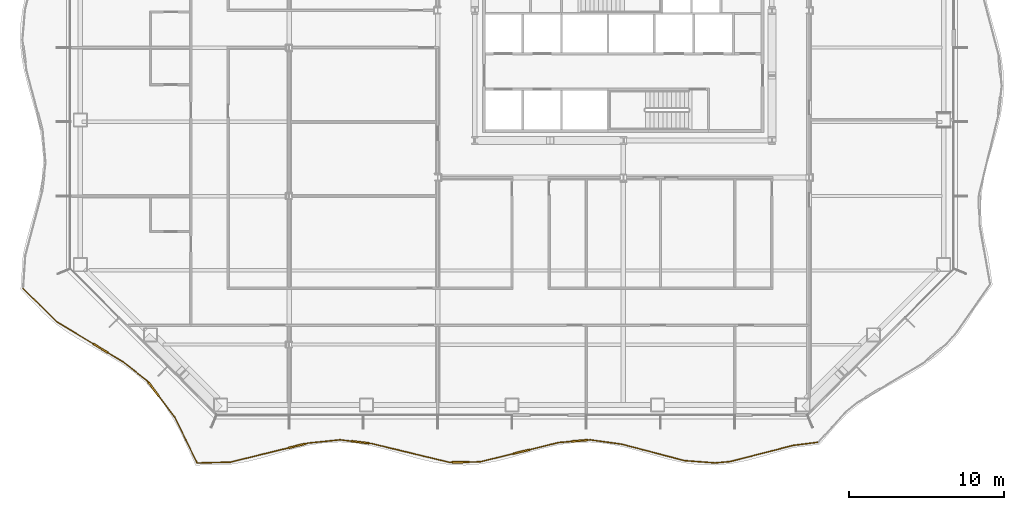
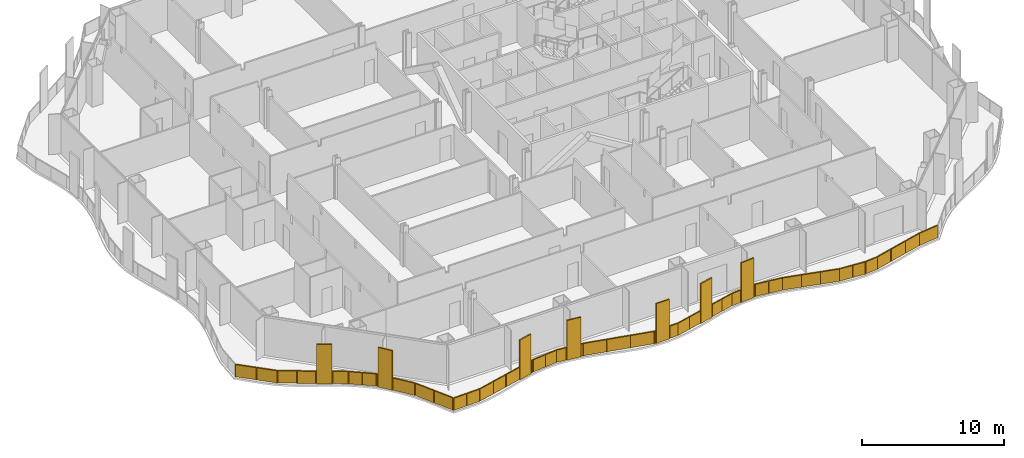
# One storey, part 12 of 17: 2 railings.
"""IFC4 building model written with IfcOpenShell, lengths in metres."""

from ifc_helpers import new_model, si_unit, direction, frame, origin, origin_2d, place, context, subcontext, project, spatial, polyline, rectangle, outline, extrude, material, type_object, element, save


model = new_model("IFC4")

# Units and contexts
model_context = context("Model", 3, precision=1e-05, world=origin(), true_north=direction((0.0, 1.0)))
body_context = subcontext(model_context, "Body", "Model", "MODEL_VIEW")
ifc_project = project(units=[si_unit("LENGTHUNIT", "METRE"), si_unit("AREAUNIT", "SQUARE_METRE"), si_unit("VOLUMEUNIT", "CUBIC_METRE"), si_unit("PLANEANGLEUNIT", "RADIAN"), si_unit("MASSUNIT", "GRAM", prefix="KILO")], contexts=[model_context])

# Site, building, storey
site_placement = place(None, origin())
site = spatial("IfcSite", under=ifc_project, at=site_placement, CompositionType="ELEMENT")
building_placement = place(site_placement, origin())
building = spatial("IfcBuilding", under=site, at=building_placement, Name="Cairn Pilgrim Tower", CompositionType="ELEMENT")
storey_placement = place(building_placement, frame((0.0, 0.0, 79.800048828125)))
storey = spatial("IfcBuildingStorey", under=building, at=storey_placement, Name="L18", CompositionType="ELEMENT", Elevation=79.800048828125)

# Railings
ifc_material = material(Name="Bronze anodised aluminium rail, posts and fin screens with laminated glass infill", Category="aluminium")
railing_type = type_object("IfcRailingType", Name="BALCONY GUARD WITH FIN SCREENS", PredefinedType="GUARDRAIL", material=ifc_material)
railing_1_placement = place(storey_placement, frame((-20.35009765625, -26.84765625, 0.0)))
element("IfcRailing", 1, at=railing_1_placement, inside=storey, type_object=railing_type, Name="Balcony guard BGF-1 with fin screens", PredefinedType="GUARDRAIL", context=body_context, shape_type="SweptSolid", body=[
    extrude(rectangle(XDim=0.050048828125, YDim=0.050048828125, at=origin_2d()), frame((0.0, 0.0, 1.0751953125), z_axis=(0.999665032724, 0.025880926372, 0.0), x_axis=(-0.025880926372, 0.999665032724, 0.0)), (0.0, 0.0, 1.0), 2.141357421875),
    extrude(rectangle(XDim=1.10009765625, YDim=0.110107421875, at=origin_2d()), frame((6.43701171875, 1.10546875, 0.0), z_axis=(0.0, 0.0, 1.0), x_axis=(0.971403341759, 0.237435354613, 0.0)), (0.0, 0.0, 1.0), 3.39990234375),
    extrude(rectangle(XDim=0.050048828125, YDim=0.050048828125, at=origin_2d()), frame((2.140625, 0.055419921875, 1.0751953125), z_axis=(0.971403341759, 0.237435354613, 0.0), x_axis=(-0.237435354613, 0.971403341759, 0.0)), (0.0, 0.0, 1.0), 3.872802734375),
    extrude(rectangle(XDim=0.050048828125, YDim=0.050048828125, at=origin_2d()), frame((6.97119140625, 1.236083984375, 1.0751953125), z_axis=(0.971403341759, 0.237435354613, 0.0), x_axis=(-0.237435354613, 0.971403341759, 0.0)), (0.0, 0.0, 1.0), 0.222900390625),
    extrude(rectangle(XDim=0.050048828125, YDim=0.050048828125, at=origin_2d()), frame((7.187744140625, 1.2890625, 1.0751953125), z_axis=(0.994833164728, 0.101523270029, 0.0), x_axis=(-0.101523270029, 0.994833164728, 0.0)), (0.0, 0.0, 1.0), 2.05859375),
    extrude(rectangle(XDim=1.10009765625, YDim=0.110107421875, at=origin_2d()), frame((10.540283203125, 1.342041015625, 0.0), z_axis=(0.0, 0.0, 1.0), x_axis=(0.992930548641, -0.118696779974, 0.0)), (0.0, 0.0, 1.0), 3.39990234375),
    extrude(rectangle(XDim=0.050048828125, YDim=0.050048828125, at=origin_2d()), frame((9.235595703125, 1.498046875, 1.0751953125), z_axis=(0.992930548641, -0.118696779974, 0.0), x_axis=(0.118696779974, 0.992930548641, 0.0)), (0.0, 0.0, 1.0), 0.763916015625),
    extrude(rectangle(XDim=0.050048828125, YDim=0.050048828125, at=origin_2d()), frame((11.086181640625, 1.27685546875, 1.0751953125), z_axis=(0.992930548641, -0.118696779974, 0.0), x_axis=(0.118696779974, 0.992930548641, 0.0)), (0.0, 0.0, 1.0), 0.197021484375),
    extrude(rectangle(XDim=0.050048828125, YDim=0.050048828125, at=origin_2d()), frame((11.281982421875, 1.25341796875, 1.0751953125), z_axis=(0.972183556205, -0.234220266083, 0.0), x_axis=(0.234220266083, 0.972183556205, 0.0)), (0.0, 0.0, 1.0), 5.186767578125),
    extrude(rectangle(XDim=1.10009765625, YDim=0.110107421875, at=origin_2d()), frame((17.024169921875, 0.0517578125, 0.0), z_axis=(0.0, 0.0, 1.0), x_axis=(0.999820644994, 0.018938792045, 0.0)), (0.0, 0.0, 1.0), 3.39990234375),
    extrude(rectangle(XDim=0.050048828125, YDim=0.050048828125, at=origin_2d()), frame((16.324462890625, 0.03857421875, 1.0751953125), z_axis=(0.999820644994, 0.018938792045, 0.0), x_axis=(-0.018938792045, 0.999820644994, 0.0)), (0.0, 0.0, 1.0), 0.14990234375),
    extrude(rectangle(XDim=0.050048828125, YDim=0.050048828125, at=origin_2d()), frame((17.573974609375, 0.062255859375, 1.0751953125), z_axis=(0.999820644994, 0.018938792045, 0.0), x_axis=(-0.018938792045, 0.999820644994, 0.0)), (0.0, 0.0, 1.0), 0.7353515625),
    extrude(rectangle(XDim=1.10009765625, YDim=0.110107421875, at=origin_2d()), frame((20.935791015625, 0.724609375, 0.0), z_axis=(0.0, 0.0, 1.0), x_axis=(0.970845467118, 0.239706234747, 0.0)), (0.0, 0.0, 1.0), 3.39990234375),
    extrude(rectangle(XDim=0.050048828125, YDim=0.050048828125, at=origin_2d()), frame((18.309326171875, 0.076171875, 1.0751953125), z_axis=(0.970845467118, 0.239706234747, 0.0), x_axis=(-0.239706234747, 0.970845467118, 0.0)), (0.0, 0.0, 1.0), 2.1552734375),
    extrude(rectangle(XDim=0.050048828125, YDim=0.050048828125, at=origin_2d()), frame((21.4697265625, 0.8564453125, 1.0751953125), z_axis=(0.970845467118, 0.239706234747, 0.0), x_axis=(-0.239706234747, 0.970845467118, 0.0)), (0.0, 0.0, 1.0), 1.944091796875),
    extrude(rectangle(XDim=1.10009765625, YDim=0.110107421875, at=origin_2d()), frame((24.708984375, 1.436279296875, 0.0), z_axis=(0.0, 0.0, 1.0), x_axis=(0.996482437645, 0.083801858365, 0.0)), (0.0, 0.0, 1.0), 3.39990234375),
    extrude(rectangle(XDim=0.050048828125, YDim=0.050048828125, at=origin_2d()), frame((23.357177734375, 1.322509765625, 1.0751953125), z_axis=(0.996482437645, 0.083801858365, 0.0), x_axis=(-0.083801858365, 0.996482437645, 0.0)), (0.0, 0.0, 1.0), 0.806640625),
    extrude(rectangle(XDim=0.050048828125, YDim=0.050048828125, at=origin_2d()), frame((25.257080078125, 1.482177734375, 1.0751953125), z_axis=(0.996482437645, 0.083801858365, 0.0), x_axis=(-0.083801858365, 0.996482437645, 0.0)), (0.0, 0.0, 1.0), 0.150146484375),
    extrude(rectangle(XDim=0.050048828125, YDim=0.050048828125, at=origin_2d()), frame((25.40673828125, 1.494873046875, 1.0751953125), z_axis=(0.990798491518, -0.135345296205, 0.0), x_axis=(0.135345296205, 0.990798491518, 0.0)), (0.0, 0.0, 1.0), 2.0654296875),
    extrude(rectangle(XDim=0.050048828125, YDim=0.050048828125, at=origin_2d()), frame((27.453125, 1.21533203125, 1.0751953125), z_axis=(0.967162352944, -0.254159365455, 0.0), x_axis=(0.254159365455, 0.967162352944, 0.0)), (0.0, 0.0, 1.0), 4.1748046875),
    extrude(rectangle(XDim=0.050048828125, YDim=0.050048828125, at=origin_2d()), frame((31.49072265625, 0.154296875, 1.0751953125), z_axis=(0.997197033679, -0.074820291511, 0.0), x_axis=(0.074820291511, 0.997197033679, 0.0)), (0.0, 0.0, 1.0), 2.000244140625),
    extrude(rectangle(XDim=0.050048828125, YDim=0.050048828125, at=origin_2d()), frame((33.4853515625, 0.004638671875, 1.0751953125), z_axis=(0.995513174876, 0.094623034444, 0.0), x_axis=(-0.094623034444, 0.995513174876, 0.0)), (0.0, 0.0, 1.0), 0.99072265625),
    extrude(rectangle(XDim=0.050048828125, YDim=0.050048828125, at=origin_2d()), frame((34.4716796875, 0.098388671875, 1.0751953125), z_axis=(0.968643638415, 0.248454224673, 0.0), x_axis=(-0.248454224673, 0.968643638415, 0.0)), (0.0, 0.0, 1.0), 4.17041015625),
    extrude(rectangle(XDim=0.050048828125, YDim=0.050048828125, at=origin_2d()), frame((38.51123046875, 1.134521484375, 1.0751953125), z_axis=(0.991837154862, 0.127511012211, 0.0), x_axis=(-0.127511012211, 0.991837154862, 0.0)), (0.0, 0.0, 1.0), 1.5986328125),
    extrude(rectangle(XDim=0.050048828125, YDim=0.050048828125, at=origin_2d()), origin(), (0.0, 0.0, 1.0), 1.050048828125),
    extrude(rectangle(XDim=0.050048828125, YDim=0.050048828125, at=origin_2d()), frame((1.0703125, 0.02783203125, 0.0)), (0.0, 0.0, 1.0), 1.050048828125),
    extrude(rectangle(XDim=0.050048828125, YDim=0.050048828125, at=origin_2d()), frame((2.140625, 0.055419921875, 0.0)), (0.0, 0.0, 1.0), 1.050048828125),
    extrude(rectangle(XDim=0.050048828125, YDim=0.050048828125, at=origin_2d()), frame((3.386474609375, 0.35986328125, 0.0)), (0.0, 0.0, 1.0), 1.050048828125),
    extrude(rectangle(XDim=0.050048828125, YDim=0.050048828125, at=origin_2d()), frame((4.63232421875, 0.66455078125, 0.0)), (0.0, 0.0, 1.0), 1.050048828125),
    extrude(rectangle(XDim=0.050048828125, YDim=0.050048828125, at=origin_2d()), frame((5.87841796875, 0.968994140625, 0.0)), (0.0, 0.0, 1.0), 1.050048828125),
    extrude(rectangle(XDim=0.050048828125, YDim=0.050048828125, at=origin_2d()), frame((6.99560546875, 1.2421875, 0.0)), (0.0, 0.0, 1.0), 1.050048828125),
    extrude(rectangle(XDim=0.050048828125, YDim=0.050048828125, at=origin_2d()), frame((7.187744140625, 1.2890625, 0.0)), (0.0, 0.0, 1.0), 1.050048828125),
    extrude(rectangle(XDim=0.050048828125, YDim=0.050048828125, at=origin_2d()), frame((8.211669921875, 1.3935546875, 0.0)), (0.0, 0.0, 1.0), 1.050048828125),
    extrude(rectangle(XDim=0.050048828125, YDim=0.050048828125, at=origin_2d()), frame((9.235595703125, 1.498046875, 0.0)), (0.0, 0.0, 1.0), 1.050048828125),
    extrude(rectangle(XDim=0.050048828125, YDim=0.050048828125, at=origin_2d()), frame((9.96923828125, 1.410400390625, 0.0)), (0.0, 0.0, 1.0), 1.050048828125),
    extrude(rectangle(XDim=0.050048828125, YDim=0.050048828125, at=origin_2d()), frame((11.111083984375, 1.27392578125, 0.0)), (0.0, 0.0, 1.0), 1.050048828125),
    extrude(rectangle(XDim=0.050048828125, YDim=0.050048828125, at=origin_2d()), frame((11.281982421875, 1.25341796875, 0.0)), (0.0, 0.0, 1.0), 1.050048828125),
    extrude(rectangle(XDim=0.050048828125, YDim=0.050048828125, at=origin_2d()), frame((12.962890625, 0.848388671875, 0.0)), (0.0, 0.0, 1.0), 1.050048828125),
    extrude(rectangle(XDim=0.050048828125, YDim=0.050048828125, at=origin_2d()), frame((14.6435546875, 0.443603515625, 0.0)), (0.0, 0.0, 1.0), 1.050048828125),
    extrude(rectangle(XDim=0.050048828125, YDim=0.050048828125, at=origin_2d()), frame((16.324462890625, 0.03857421875, 0.0)), (0.0, 0.0, 1.0), 1.050048828125),
    extrude(rectangle(XDim=0.050048828125, YDim=0.050048828125, at=origin_2d()), frame((16.44921875, 0.041015625, 0.0)), (0.0, 0.0, 1.0), 1.050048828125),
    extrude(rectangle(XDim=0.050048828125, YDim=0.050048828125, at=origin_2d()), frame((17.59912109375, 0.062744140625, 0.0)), (0.0, 0.0, 1.0), 1.050048828125),
    extrude(rectangle(XDim=0.050048828125, YDim=0.050048828125, at=origin_2d()), frame((18.309326171875, 0.076171875, 0.0)), (0.0, 0.0, 1.0), 1.050048828125),
    extrude(rectangle(XDim=0.050048828125, YDim=0.050048828125, at=origin_2d()), frame((19.343505859375, 0.33154296875, 0.0)), (0.0, 0.0, 1.0), 1.050048828125),
    extrude(rectangle(XDim=0.050048828125, YDim=0.050048828125, at=origin_2d()), frame((20.37744140625, 0.5869140625, 0.0)), (0.0, 0.0, 1.0), 1.050048828125),
    extrude(rectangle(XDim=0.050048828125, YDim=0.050048828125, at=origin_2d()), frame((21.494140625, 0.862548828125, 0.0)), (0.0, 0.0, 1.0), 1.050048828125),
    extrude(rectangle(XDim=0.050048828125, YDim=0.050048828125, at=origin_2d()), frame((22.425537109375, 1.092529296875, 0.0)), (0.0, 0.0, 1.0), 1.050048828125),
    extrude(rectangle(XDim=0.050048828125, YDim=0.050048828125, at=origin_2d()), frame((23.357177734375, 1.322509765625, 0.0)), (0.0, 0.0, 1.0), 1.050048828125),
    extrude(rectangle(XDim=0.050048828125, YDim=0.050048828125, at=origin_2d()), frame((24.135986328125, 1.387939453125, 0.0)), (0.0, 0.0, 1.0), 1.050048828125),
    extrude(rectangle(XDim=0.050048828125, YDim=0.050048828125, at=origin_2d()), frame((25.281982421875, 1.484375, 0.0)), (0.0, 0.0, 1.0), 1.050048828125),
    extrude(rectangle(XDim=0.050048828125, YDim=0.050048828125, at=origin_2d()), frame((25.40673828125, 1.494873046875, 0.0)), (0.0, 0.0, 1.0), 1.050048828125),
    extrude(rectangle(XDim=0.050048828125, YDim=0.050048828125, at=origin_2d()), frame((26.429931640625, 1.35498046875, 0.0)), (0.0, 0.0, 1.0), 1.050048828125),
    extrude(rectangle(XDim=0.050048828125, YDim=0.050048828125, at=origin_2d()), frame((27.453125, 1.21533203125, 0.0)), (0.0, 0.0, 1.0), 1.050048828125),
    extrude(rectangle(XDim=0.050048828125, YDim=0.050048828125, at=origin_2d()), frame((28.799072265625, 0.861572265625, 0.0)), (0.0, 0.0, 1.0), 1.050048828125),
    extrude(rectangle(XDim=0.050048828125, YDim=0.050048828125, at=origin_2d()), frame((30.144775390625, 0.508056640625, 0.0)), (0.0, 0.0, 1.0), 1.050048828125),
    extrude(rectangle(XDim=0.050048828125, YDim=0.050048828125, at=origin_2d()), frame((31.49072265625, 0.154296875, 0.0)), (0.0, 0.0, 1.0), 1.050048828125),
    extrude(rectangle(XDim=0.050048828125, YDim=0.050048828125, at=origin_2d()), frame((32.488037109375, 0.07958984375, 0.0)), (0.0, 0.0, 1.0), 1.050048828125),
    extrude(rectangle(XDim=0.050048828125, YDim=0.050048828125, at=origin_2d()), frame((33.4853515625, 0.004638671875, 0.0)), (0.0, 0.0, 1.0), 1.050048828125),
    extrude(rectangle(XDim=0.050048828125, YDim=0.050048828125, at=origin_2d()), frame((34.4716796875, 0.098388671875, 0.0)), (0.0, 0.0, 1.0), 1.050048828125),
    extrude(rectangle(XDim=0.050048828125, YDim=0.050048828125, at=origin_2d()), frame((35.818115234375, 0.44384765625, 0.0)), (0.0, 0.0, 1.0), 1.050048828125),
    extrude(rectangle(XDim=0.050048828125, YDim=0.050048828125, at=origin_2d()), frame((37.164794921875, 0.7890625, 0.0)), (0.0, 0.0, 1.0), 1.050048828125),
    extrude(rectangle(XDim=0.050048828125, YDim=0.050048828125, at=origin_2d()), frame((38.51123046875, 1.134521484375, 0.0)), (0.0, 0.0, 1.0), 1.050048828125),
    extrude(rectangle(XDim=0.050048828125, YDim=0.050048828125, at=origin_2d()), frame((40.096923828125, 1.33837890625, 0.0)), (0.0, 0.0, 1.0), 1.050048828125),
    extrude(outline(polyline([(0.02490234375, 0.0), (1.045654296875, 0.0), (1.045654296875, 1.050048828125), (0.02490234375, 1.050048828125), (0.02490234375, 0.0)])), frame((-0.000244140625, 0.005859375, 0.0), z_axis=(0.025880926372, -0.999665032724, 0.0), x_axis=(0.999665032724, 0.025880926372, 0.0)), (0.0, 0.0, 1.0), 0.011962890625),
    extrude(outline(polyline([(0.02490234375, 0.0), (1.045654296875, 0.0), (1.045654296875, 1.050048828125), (0.02490234375, 1.050048828125), (0.02490234375, 0.0)])), frame((1.070068359375, 0.03369140625, 0.0), z_axis=(0.025880926372, -0.999665032724, 0.0), x_axis=(0.999665032724, 0.025880926372, 0.0)), (0.0, 0.0, 1.0), 0.011962890625),
    extrude(outline(polyline([(0.02490234375, 0.0), (1.257568359375, 0.0), (1.257568359375, 1.050048828125), (0.02490234375, 1.050048828125), (0.02490234375, 0.0)])), frame((2.13916015625, 0.061279296875, 0.0), z_axis=(0.237435354613, -0.971403341759, 0.0), x_axis=(0.971403341759, 0.237435354613, 0.0)), (0.0, 0.0, 1.0), 0.011962890625),
    extrude(outline(polyline([(0.02490234375, 0.0), (1.257568359375, 0.0), (1.257568359375, 1.050048828125), (0.02490234375, 1.050048828125), (0.02490234375, 0.0)])), frame((3.385009765625, 0.36572265625, 0.0), z_axis=(0.237435354613, -0.971403341759, 0.0), x_axis=(0.971403341759, 0.237435354613, 0.0)), (0.0, 0.0, 1.0), 0.011962890625),
    extrude(outline(polyline([(0.02490234375, 0.0), (1.257568359375, 0.0), (1.257568359375, 1.050048828125), (0.02490234375, 1.050048828125), (0.02490234375, 0.0)])), frame((4.631103515625, 0.67041015625, 0.0), z_axis=(0.237435354613, -0.971403341759, 0.0), x_axis=(0.971403341759, 0.237435354613, 0.0)), (0.0, 0.0, 1.0), 0.011962890625),
    extrude(outline(polyline([(0.02490234375, 0.0), (0.1728515625, 0.0), (0.1728515625, 1.050048828125), (0.02490234375, 1.050048828125), (0.02490234375, 0.0)])), frame((6.994140625, 1.247802734375, 0.0), z_axis=(0.237435354613, -0.971403341759, 0.0), x_axis=(0.971403341759, 0.237435354613, 0.0)), (0.0, 0.0, 1.0), 0.011962890625),
    extrude(outline(polyline([(0.02490234375, 0.0), (1.004150390625, 0.0), (1.004150390625, 1.050048828125), (0.02490234375, 1.050048828125), (0.02490234375, 0.0)])), frame((7.187255859375, 1.294921875, 0.0), z_axis=(0.101523270029, -0.994833164728, 0.0), x_axis=(0.994833164728, 0.101523270029, 0.0)), (0.0, 0.0, 1.0), 0.011962890625),
    extrude(outline(polyline([(0.02490234375, 0.0), (1.004150390625, 0.0), (1.004150390625, 1.050048828125), (0.02490234375, 1.050048828125), (0.02490234375, 0.0)])), frame((8.211181640625, 1.3994140625, 0.0), z_axis=(0.101523270029, -0.994833164728, 0.0), x_axis=(0.994833164728, 0.101523270029, 0.0)), (0.0, 0.0, 1.0), 0.011962890625),
    extrude(outline(polyline([(0.02490234375, 0.0), (0.7138671875, 0.0), (0.7138671875, 1.050048828125), (0.02490234375, 1.050048828125), (0.02490234375, 0.0)])), frame((9.236328125, 1.50390625, 0.0), z_axis=(-0.118696779974, -0.992930548641, 0.0), x_axis=(0.992930548641, -0.118696779974, 0.0)), (0.0, 0.0, 1.0), 0.011962890625),
    extrude(outline(polyline([(0.02490234375, 0.0), (0.14697265625, 0.0), (0.14697265625, 1.050048828125), (0.02490234375, 1.050048828125), (0.02490234375, 0.0)])), frame((11.11181640625, 1.27978515625, 0.0), z_axis=(-0.118696779974, -0.992930548641, 0.0), x_axis=(0.992930548641, -0.118696779974, 0.0)), (0.0, 0.0, 1.0), 0.011962890625),
    extrude(outline(polyline([(0.02490234375, 0.0), (1.703857421875, 0.0), (1.703857421875, 1.050048828125), (0.02490234375, 1.050048828125), (0.02490234375, 0.0)])), frame((11.283447265625, 1.25927734375, 0.0), z_axis=(-0.234220266083, -0.972183556205, 0.0), x_axis=(0.972183556205, -0.234220266083, 0.0)), (0.0, 0.0, 1.0), 0.011962890625),
    extrude(outline(polyline([(0.02490234375, 0.0), (1.703857421875, 0.0), (1.703857421875, 1.050048828125), (0.02490234375, 1.050048828125), (0.02490234375, 0.0)])), frame((12.964111328125, 0.854248046875, 0.0), z_axis=(-0.234220266083, -0.972183556205, 0.0), x_axis=(0.972183556205, -0.234220266083, 0.0)), (0.0, 0.0, 1.0), 0.011962890625),
    extrude(outline(polyline([(0.02490234375, 0.0), (1.703857421875, 0.0), (1.703857421875, 1.050048828125), (0.02490234375, 1.050048828125), (0.02490234375, 0.0)])), frame((14.64501953125, 0.44921875, 0.0), z_axis=(-0.234220266083, -0.972183556205, 0.0), x_axis=(0.972183556205, -0.234220266083, 0.0)), (0.0, 0.0, 1.0), 0.011962890625),
    extrude(outline(polyline([(0.02490234375, 0.0), (0.099853515625, 0.0), (0.099853515625, 1.050048828125), (0.02490234375, 1.050048828125), (0.02490234375, 0.0)])), frame((16.324462890625, 0.04443359375, 0.0), z_axis=(0.018938792045, -0.999820644994, 0.0), x_axis=(0.999820644994, 0.018938792045, 0.0)), (0.0, 0.0, 1.0), 0.011962890625),
    extrude(outline(polyline([(0.02490234375, 0.0), (0.685302734375, 0.0), (0.685302734375, 1.050048828125), (0.02490234375, 1.050048828125), (0.02490234375, 0.0)])), frame((17.59912109375, 0.068603515625, 0.0), z_axis=(0.018938792045, -0.999820644994, 0.0), x_axis=(0.999820644994, 0.018938792045, 0.0)), (0.0, 0.0, 1.0), 0.011962890625),
    extrude(outline(polyline([(0.02490234375, 0.0), (1.0400390625, 0.0), (1.0400390625, 1.050048828125), (0.02490234375, 1.050048828125), (0.02490234375, 0.0)])), frame((18.307861328125, 0.08203125, 0.0), z_axis=(0.239706234747, -0.970845467118, 0.0), x_axis=(0.970845467118, 0.239706234747, 0.0)), (0.0, 0.0, 1.0), 0.011962890625),
    extrude(outline(polyline([(0.02490234375, 0.0), (1.0400390625, 0.0), (1.0400390625, 1.050048828125), (0.02490234375, 1.050048828125), (0.02490234375, 0.0)])), frame((19.342041015625, 0.33740234375, 0.0), z_axis=(0.239706234747, -0.970845467118, 0.0), x_axis=(0.970845467118, 0.239706234747, 0.0)), (0.0, 0.0, 1.0), 0.011962890625),
    extrude(outline(polyline([(0.02490234375, 0.0), (0.9345703125, 0.0), (0.9345703125, 1.050048828125), (0.02490234375, 1.050048828125), (0.02490234375, 0.0)])), frame((21.49267578125, 0.868408203125, 0.0), z_axis=(0.239706234747, -0.970845467118, 0.0), x_axis=(0.970845467118, 0.239706234747, 0.0)), (0.0, 0.0, 1.0), 0.011962890625),
    extrude(outline(polyline([(0.02490234375, 0.0), (0.9345703125, 0.0), (0.9345703125, 1.050048828125), (0.02490234375, 1.050048828125), (0.02490234375, 0.0)])), frame((22.424072265625, 1.098388671875, 0.0), z_axis=(0.239706234747, -0.970845467118, 0.0), x_axis=(0.970845467118, 0.239706234747, 0.0)), (0.0, 0.0, 1.0), 0.011962890625),
    extrude(outline(polyline([(0.02490234375, 0.0), (0.756591796875, 0.0), (0.756591796875, 1.050048828125), (0.02490234375, 1.050048828125), (0.02490234375, 0.0)])), frame((23.356689453125, 1.328369140625, 0.0), z_axis=(0.083801858365, -0.996482437645, 0.0), x_axis=(0.996482437645, 0.083801858365, 0.0)), (0.0, 0.0, 1.0), 0.011962890625),
    extrude(outline(polyline([(0.02490234375, 0.0), (0.10009765625, 0.0), (0.10009765625, 1.050048828125), (0.02490234375, 1.050048828125), (0.02490234375, 0.0)])), frame((25.281494140625, 1.490234375, 0.0), z_axis=(0.083801858365, -0.996482437645, 0.0), x_axis=(0.996482437645, 0.083801858365, 0.0)), (0.0, 0.0, 1.0), 0.011962890625),
    extrude(outline(polyline([(0.02490234375, 0.0), (1.007568359375, 0.0), (1.007568359375, 1.050048828125), (0.02490234375, 1.050048828125), (0.02490234375, 0.0)])), frame((25.407470703125, 1.500732421875, 0.0), z_axis=(-0.135345296205, -0.990798491518, 0.0), x_axis=(0.990798491518, -0.135345296205, 0.0)), (0.0, 0.0, 1.0), 0.011962890625),
    extrude(outline(polyline([(0.02490234375, 0.0), (1.007568359375, 0.0), (1.007568359375, 1.050048828125), (0.02490234375, 1.050048828125), (0.02490234375, 0.0)])), frame((26.4306640625, 1.361083984375, 0.0), z_axis=(-0.135345296205, -0.990798491518, 0.0), x_axis=(0.990798491518, -0.135345296205, 0.0)), (0.0, 0.0, 1.0), 0.011962890625),
    extrude(outline(polyline([(0.02490234375, 0.0), (1.366455078125, 0.0), (1.366455078125, 1.050048828125), (0.02490234375, 1.050048828125), (0.02490234375, 0.0)])), frame((27.45458984375, 1.22119140625, 0.0), z_axis=(-0.254159365455, -0.967162352944, 0.0), x_axis=(0.967162352944, -0.254159365455, 0.0)), (0.0, 0.0, 1.0), 0.011962890625),
    extrude(outline(polyline([(0.02490234375, 0.0), (1.366455078125, 0.0), (1.366455078125, 1.050048828125), (0.02490234375, 1.050048828125), (0.02490234375, 0.0)])), frame((28.800537109375, 0.867431640625, 0.0), z_axis=(-0.254159365455, -0.967162352944, 0.0), x_axis=(0.967162352944, -0.254159365455, 0.0)), (0.0, 0.0, 1.0), 0.011962890625),
    extrude(outline(polyline([(0.02490234375, 0.0), (1.366455078125, 0.0), (1.366455078125, 1.050048828125), (0.02490234375, 1.050048828125), (0.02490234375, 0.0)])), frame((30.146484375, 0.513671875, 0.0), z_axis=(-0.254159365455, -0.967162352944, 0.0), x_axis=(0.967162352944, -0.254159365455, 0.0)), (0.0, 0.0, 1.0), 0.011962890625),
    extrude(outline(polyline([(0.02490234375, 0.0), (0.97509765625, 0.0), (0.97509765625, 1.050048828125), (0.02490234375, 1.050048828125), (0.02490234375, 0.0)])), frame((31.4912109375, 0.16015625, 0.0), z_axis=(-0.074820291511, -0.997197033679, 0.0), x_axis=(0.997197033679, -0.074820291511, 0.0)), (0.0, 0.0, 1.0), 0.011962890625),
    extrude(outline(polyline([(0.02490234375, 0.0), (0.97509765625, 0.0), (0.97509765625, 1.050048828125), (0.02490234375, 1.050048828125), (0.02490234375, 0.0)])), frame((32.488525390625, 0.08544921875, 0.0), z_axis=(-0.074820291511, -0.997197033679, 0.0), x_axis=(0.997197033679, -0.074820291511, 0.0)), (0.0, 0.0, 1.0), 0.011962890625),
    extrude(outline(polyline([(0.02490234375, 0.0), (0.9658203125, 0.0), (0.9658203125, 1.050048828125), (0.02490234375, 1.050048828125), (0.02490234375, 0.0)])), frame((33.48486328125, 0.010498046875, 0.0), z_axis=(0.094623034444, -0.995513174876, 0.0), x_axis=(0.995513174876, 0.094623034444, 0.0)), (0.0, 0.0, 1.0), 0.011962890625),
    extrude(outline(polyline([(0.02490234375, 0.0), (1.364990234375, 0.0), (1.364990234375, 1.050048828125), (0.02490234375, 1.050048828125), (0.02490234375, 0.0)])), frame((34.47021484375, 0.104248046875, 0.0), z_axis=(0.248454224673, -0.968643638415, 0.0), x_axis=(0.968643638415, 0.248454224673, 0.0)), (0.0, 0.0, 1.0), 0.011962890625),
    extrude(outline(polyline([(0.02490234375, 0.0), (1.364990234375, 0.0), (1.364990234375, 1.050048828125), (0.02490234375, 1.050048828125), (0.02490234375, 0.0)])), frame((35.816650390625, 0.449462890625, 0.0), z_axis=(0.248454224673, -0.968643638415, 0.0), x_axis=(0.968643638415, 0.248454224673, 0.0)), (0.0, 0.0, 1.0), 0.011962890625),
    extrude(outline(polyline([(0.02490234375, 0.0), (1.364990234375, 0.0), (1.364990234375, 1.050048828125), (0.02490234375, 1.050048828125), (0.02490234375, 0.0)])), frame((37.163330078125, 0.794921875, 0.0), z_axis=(0.248454224673, -0.968643638415, 0.0), x_axis=(0.968643638415, 0.248454224673, 0.0)), (0.0, 0.0, 1.0), 0.011962890625),
    extrude(outline(polyline([(0.02490234375, 0.0), (1.57373046875, 0.0), (1.57373046875, 1.050048828125), (0.02490234375, 1.050048828125), (0.02490234375, 0.0)])), frame((38.510498046875, 1.140380859375, 0.0), z_axis=(0.127511012211, -0.991837154862, 0.0), x_axis=(0.991837154862, 0.127511012211, 0.0)), (0.0, 0.0, 1.0), 0.011962890625),
])
railing_2_placement = place(storey_placement, frame((-31.602294921875, -15.566162109375, 0.0)))
element("IfcRailing", 2, at=railing_2_placement, inside=storey, type_object=railing_type, Name="Balcony guard BGF-8 with fin screens", PredefinedType="GUARDRAIL", context=body_context, shape_type="SweptSolid", body=[
    extrude(rectangle(XDim=0.050048828125, YDim=0.050048828125, at=origin_2d()), frame((0.0, 0.0, 1.0751953125), z_axis=(0.711928962472, -0.702251487996, 0.0), x_axis=(0.702251487996, 0.711928962472, 0.0)), (0.0, 0.0, 1.0), 3.077880859375),
    extrude(rectangle(XDim=1.10009765625, YDim=0.110107421875, at=origin_2d()), frame((5.007568359375, -3.862060546875, 0.0), z_axis=(0.0, 0.0, 1.0), x_axis=(0.856046457288, -0.516898890466, 0.0)), (0.0, 0.0, 1.0), 3.39990234375),
    extrude(rectangle(XDim=0.050048828125, YDim=0.050048828125, at=origin_2d()), frame((2.191162109375, -2.161376953125, 1.0751953125), z_axis=(0.856046457288, -0.516898890466, 0.0), x_axis=(0.516898890466, 0.856046457288, 0.0)), (0.0, 0.0, 1.0), 2.740234375),
    extrude(rectangle(XDim=0.050048828125, YDim=0.050048828125, at=origin_2d()), frame((5.478515625, -4.146240234375, 1.0751953125), z_axis=(0.856046457288, -0.516898890466, 0.0), x_axis=(0.516898890466, 0.856046457288, 0.0)), (0.0, 0.0, 1.0), 1.145751953125),
    extrude(rectangle(XDim=0.050048828125, YDim=0.050048828125, at=origin_2d()), frame((6.459228515625, -4.738525390625, 1.0751953125), z_axis=(0.787338646265, -0.616520766964, 0.0), x_axis=(0.616520766964, 0.787338646265, 0.0)), (0.0, 0.0, 1.0), 1.982421875),
    extrude(rectangle(XDim=1.10009765625, YDim=0.110107421875, at=origin_2d()), frame((8.443115234375, -6.518310546875, 0.0), z_axis=(0.0, 0.0, 1.0), x_axis=(0.604330715894, -0.796733572675, 0.0)), (0.0, 0.0, 1.0), 3.39990234375),
    extrude(rectangle(XDim=0.050048828125, YDim=0.050048828125, at=origin_2d()), frame((8.02001953125, -5.960693359375, 1.0751953125), z_axis=(0.604330715894, -0.796733572675, 0.0), x_axis=(0.796733572675, 0.604330715894, 0.0)), (0.0, 0.0, 1.0), 0.14990234375),
    extrude(rectangle(XDim=0.050048828125, YDim=0.050048828125, at=origin_2d()), frame((8.775390625, -6.95654296875, 1.0751953125), z_axis=(0.604330715894, -0.796733572675, 0.0), x_axis=(0.796733572675, 0.604330715894, 0.0)), (0.0, 0.0, 1.0), 1.720458984375),
    extrude(rectangle(XDim=0.050048828125, YDim=0.050048828125, at=origin_2d()), frame((9.815185546875, -8.327392578125, 1.0751953125), z_axis=(0.437467373238, -0.899234283906, 0.0), x_axis=(0.899234283906, 0.437467373238, 0.0)), (0.0, 0.0, 1.0), 3.22509765625),
    extrude(rectangle(XDim=0.050048828125, YDim=0.050048828125, at=origin_2d()), origin(), (0.0, 0.0, 1.0), 1.050048828125),
    extrude(rectangle(XDim=0.050048828125, YDim=0.050048828125, at=origin_2d()), frame((1.095703125, -1.08056640625, 0.0)), (0.0, 0.0, 1.0), 1.050048828125),
    extrude(rectangle(XDim=0.050048828125, YDim=0.050048828125, at=origin_2d()), frame((2.191162109375, -2.161376953125, 0.0)), (0.0, 0.0, 1.0), 1.050048828125),
    extrude(rectangle(XDim=0.050048828125, YDim=0.050048828125, at=origin_2d()), frame((3.353271484375, -2.863037109375, 0.0)), (0.0, 0.0, 1.0), 1.050048828125),
    extrude(rectangle(XDim=0.050048828125, YDim=0.050048828125, at=origin_2d()), frame((4.515380859375, -3.564697265625, 0.0)), (0.0, 0.0, 1.0), 1.050048828125),
    extrude(rectangle(XDim=0.050048828125, YDim=0.050048828125, at=origin_2d()), frame((5.5, -4.1591796875, 0.0)), (0.0, 0.0, 1.0), 1.050048828125),
    extrude(rectangle(XDim=0.050048828125, YDim=0.050048828125, at=origin_2d()), frame((6.459228515625, -4.738525390625, 0.0)), (0.0, 0.0, 1.0), 1.050048828125),
    extrude(rectangle(XDim=0.050048828125, YDim=0.050048828125, at=origin_2d()), frame((7.23974609375, -5.349609375, 0.0)), (0.0, 0.0, 1.0), 1.050048828125),
    extrude(rectangle(XDim=0.050048828125, YDim=0.050048828125, at=origin_2d()), frame((8.02001953125, -5.960693359375, 0.0)), (0.0, 0.0, 1.0), 1.050048828125),
    extrude(rectangle(XDim=0.050048828125, YDim=0.050048828125, at=origin_2d()), frame((8.095458984375, -6.060302734375, 0.0)), (0.0, 0.0, 1.0), 1.050048828125),
    extrude(rectangle(XDim=0.050048828125, YDim=0.050048828125, at=origin_2d()), frame((8.79052734375, -6.9765625, 0.0)), (0.0, 0.0, 1.0), 1.050048828125),
    extrude(rectangle(XDim=0.050048828125, YDim=0.050048828125, at=origin_2d()), frame((9.815185546875, -8.327392578125, 0.0)), (0.0, 0.0, 1.0), 1.050048828125),
    extrude(rectangle(XDim=0.050048828125, YDim=0.050048828125, at=origin_2d()), frame((10.5205078125, -9.77734375, 0.0)), (0.0, 0.0, 1.0), 1.050048828125),
    extrude(rectangle(XDim=0.050048828125, YDim=0.050048828125, at=origin_2d()), frame((11.22607421875, -11.2275390625, 0.0)), (0.0, 0.0, 1.0), 1.050048828125),
    extrude(outline(polyline([(0.02490234375, 0.0), (1.513916015625, 0.0), (1.513916015625, 1.050048828125), (0.02490234375, 1.050048828125), (0.02490234375, 0.0)])), frame((0.004150390625, 0.004150390625, 0.0), z_axis=(-0.702251487996, -0.711928962472, 0.0), x_axis=(0.711928962472, -0.702251487996, 0.0)), (0.0, 0.0, 1.0), 0.011962890625),
    extrude(outline(polyline([(0.02490234375, 0.0), (1.513916015625, 0.0), (1.513916015625, 1.050048828125), (0.02490234375, 1.050048828125), (0.02490234375, 0.0)])), frame((1.099853515625, -1.076416015625, 0.0), z_axis=(-0.702251487996, -0.711928962472, 0.0), x_axis=(0.711928962472, -0.702251487996, 0.0)), (0.0, 0.0, 1.0), 0.011962890625),
    extrude(outline(polyline([(0.02490234375, 0.0), (1.33251953125, 0.0), (1.33251953125, 1.050048828125), (0.02490234375, 1.050048828125), (0.02490234375, 0.0)])), frame((2.1943359375, -2.15625, 0.0), z_axis=(-0.516898890466, -0.856046457288, 0.0), x_axis=(0.856046457288, -0.516898890466, 0.0)), (0.0, 0.0, 1.0), 0.011962890625),
    extrude(outline(polyline([(0.02490234375, 0.0), (1.33251953125, 0.0), (1.33251953125, 1.050048828125), (0.02490234375, 1.050048828125), (0.02490234375, 0.0)])), frame((3.3564453125, -2.85791015625, 0.0), z_axis=(-0.516898890466, -0.856046457288, 0.0), x_axis=(0.856046457288, -0.516898890466, 0.0)), (0.0, 0.0, 1.0), 0.011962890625),
    extrude(outline(polyline([(0.02490234375, 0.0), (1.095703125, 0.0), (1.095703125, 1.050048828125), (0.02490234375, 1.050048828125), (0.02490234375, 0.0)])), frame((5.5029296875, -4.154052734375, 0.0), z_axis=(-0.516898890466, -0.856046457288, 0.0), x_axis=(0.856046457288, -0.516898890466, 0.0)), (0.0, 0.0, 1.0), 0.011962890625),
    extrude(outline(polyline([(0.02490234375, 0.0), (0.966064453125, 0.0), (0.966064453125, 1.050048828125), (0.02490234375, 1.050048828125), (0.02490234375, 0.0)])), frame((6.462890625, -4.73388671875, 0.0), z_axis=(-0.616520766964, -0.787338646265, 0.0), x_axis=(0.787338646265, -0.616520766964, 0.0)), (0.0, 0.0, 1.0), 0.011962890625),
    extrude(outline(polyline([(0.02490234375, 0.0), (0.966064453125, 0.0), (0.966064453125, 1.050048828125), (0.02490234375, 1.050048828125), (0.02490234375, 0.0)])), frame((7.243408203125, -5.344970703125, 0.0), z_axis=(-0.616520766964, -0.787338646265, 0.0), x_axis=(0.787338646265, -0.616520766964, 0.0)), (0.0, 0.0, 1.0), 0.011962890625),
    extrude(outline(polyline([(0.02490234375, 0.0), (0.099853515625, 0.0), (0.099853515625, 1.050048828125), (0.02490234375, 1.050048828125), (0.02490234375, 0.0)])), frame((8.02490234375, -5.95703125, 0.0), z_axis=(-0.796733572675, -0.604330715894, 0.0), x_axis=(0.604330715894, -0.796733572675, 0.0)), (0.0, 0.0, 1.0), 0.011962890625),
    extrude(outline(polyline([(0.02490234375, 0.0), (1.67041015625, 0.0), (1.67041015625, 1.050048828125), (0.02490234375, 1.050048828125), (0.02490234375, 0.0)])), frame((8.79541015625, -6.972900390625, 0.0), z_axis=(-0.796733572675, -0.604330715894, 0.0), x_axis=(0.604330715894, -0.796733572675, 0.0)), (0.0, 0.0, 1.0), 0.011962890625),
    extrude(outline(polyline([(0.02490234375, 0.0), (1.587646484375, 0.0), (1.587646484375, 1.050048828125), (0.02490234375, 1.050048828125), (0.02490234375, 0.0)])), frame((9.820556640625, -8.32470703125, 0.0), z_axis=(-0.899234283906, -0.437467373238, 0.0), x_axis=(0.437467373238, -0.899234283906, 0.0)), (0.0, 0.0, 1.0), 0.011962890625),
    extrude(outline(polyline([(0.02490234375, 0.0), (1.587646484375, 0.0), (1.587646484375, 1.050048828125), (0.02490234375, 1.050048828125), (0.02490234375, 0.0)])), frame((10.526123046875, -9.77490234375, 0.0), z_axis=(-0.899234283906, -0.437467373238, 0.0), x_axis=(0.437467373238, -0.899234283906, 0.0)), (0.0, 0.0, 1.0), 0.011962890625),
])

save(model, "model.ifc")
